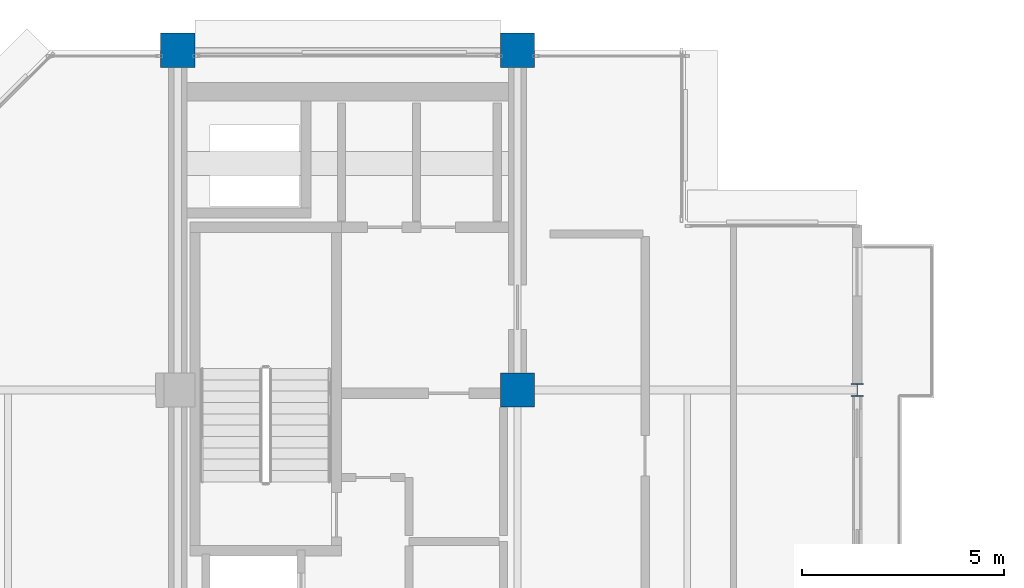
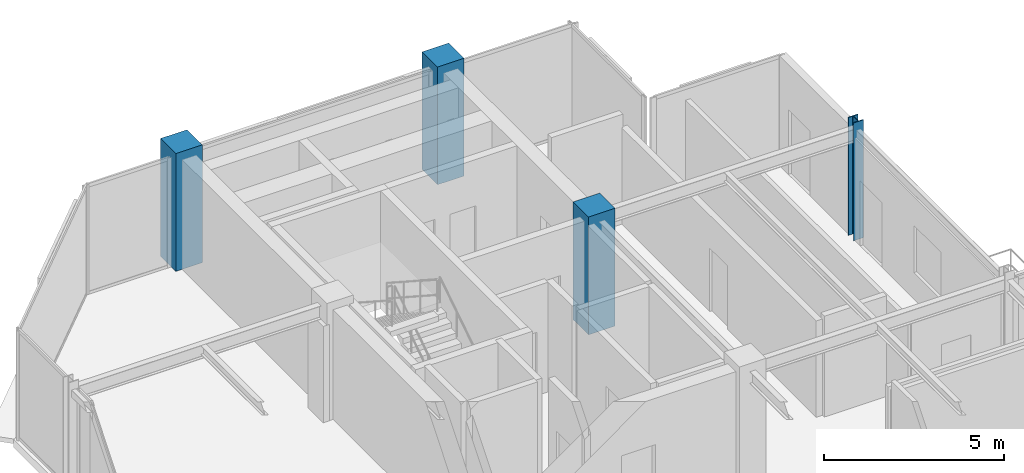
# One storey, part 2 of 25: 4 columns.
"""IFC4 building model written with IfcOpenShell, lengths in metres."""

from ifc_helpers import new_model, si_unit, direction, frame, origin, origin_2d, place, context, subcontext, project, spatial, rectangle, i_section, extrude, material, material_profile, profile_set, type_object, element, save


model = new_model("IFC4")

# Units and contexts
model_context = context("Model", 3, precision=1e-05, world=origin(), true_north=direction((0.0, 1.0)))
body_context = subcontext(model_context, "Body", "Model", "MODEL_VIEW")
ifc_project = project(units=[si_unit("LENGTHUNIT", "METRE"), si_unit("AREAUNIT", "SQUARE_METRE"), si_unit("VOLUMEUNIT", "CUBIC_METRE"), si_unit("PLANEANGLEUNIT", "RADIAN"), si_unit("MASSUNIT", "GRAM", prefix="KILO")], contexts=[model_context])

# Site, building, storey
site_placement = place(None, origin())
site = spatial("IfcSite", under=ifc_project, at=site_placement, CompositionType="ELEMENT")
building_placement = place(site_placement, origin())
building = spatial("IfcBuilding", under=site, at=building_placement, Name="Nerrivon Quay Data Exchange", CompositionType="ELEMENT")
storey_placement = place(building_placement, frame((0.0, 0.0, 290.199951171875)))
storey = spatial("IfcBuildingStorey", under=building, at=storey_placement, Name="L69", CompositionType="ELEMENT", Elevation=290.199951171875)

# Columns
ifc_material_1 = material(Name="Concrete N50 (50 MPa)", Category="concrete")
ifc_material_profile_1 = material_profile(ifc_material_1, rectangle(XDim=0.85009765625, YDim=0.85009765625, at=origin_2d()), Name="RC-COL-850x850")
ifc_profile_set_1 = profile_set([ifc_material_profile_1], Name="Concrete N50 (50 MPa)")
column_type_1 = type_object("IfcColumnType", Name="COL-C5-850", PredefinedType="COLUMN", material=ifc_profile_set_1)
for number, where, z_axis, x_axis, name in (
    (1, (8.39990234375, 42.0, 0.0), (0.0, 0.0, 1.0), (1.0, 0.0, 0.0), "L69 Column (8.4,42.0)"),
    (2, (16.800048828125, 33.60009765625, 0.0), (0.0, 0.0, 1.0), (1.0, 0.0, 0.0), "L69 Column (16.8,33.6)"),
    (3, (16.800048828125, 42.0, 0.0), (0.0, 0.0, 1.0), (1.0, 0.0, 0.0), "L69 Column (16.8,42.0)"),
):
    element("IfcColumn", number, at=place(storey_placement, frame(where, z_axis=z_axis, x_axis=x_axis)), inside=storey, type_object=column_type_1, Name=name, PredefinedType="COLUMN", context=body_context, shape_type="SweptSolid", body=[
        extrude(rectangle(XDim=0.85009765625, YDim=0.85009765625, at=origin_2d()), origin(), (0.0, 0.0, 1.0), 4.0),
    ])
ifc_material_2 = material(Name="Steel Grade 350", Category="steel")
ifc_material_profile_2 = material_profile(ifc_material_2, i_section(OverallWidth=0.31103515625, OverallDepth=0.326904296875, WebThickness=0.015625, FlangeThickness=0.02490234375, FilletRadius=0.0166015625, at=origin_2d()), Name="310UC158")
ifc_profile_set_2 = profile_set([ifc_material_profile_2], Name="Steel Grade 350")
column_type_2 = type_object("IfcColumnType", Name="COL-SC4-310UC158", PredefinedType="COLUMN", material=ifc_profile_set_2)
column_placement = place(storey_placement, frame((25.199951171875, 33.60009765625, 0.0), z_axis=(0.0, 0.0, 1.0), x_axis=(1.0, 0.0, 0.0)))
element("IfcColumn", 4, at=column_placement, inside=storey, type_object=column_type_2, Name="L69 Column (25.2,33.6)", PredefinedType="COLUMN", context=body_context, shape_type="SweptSolid", body=[
    extrude(i_section(OverallWidth=0.31103515625, OverallDepth=0.326904296875, WebThickness=0.015625, FlangeThickness=0.02490234375, FilletRadius=0.0166015625, at=origin_2d()), origin(), (0.0, 0.0, 1.0), 4.0),
])

save(model, "model.ifc")
